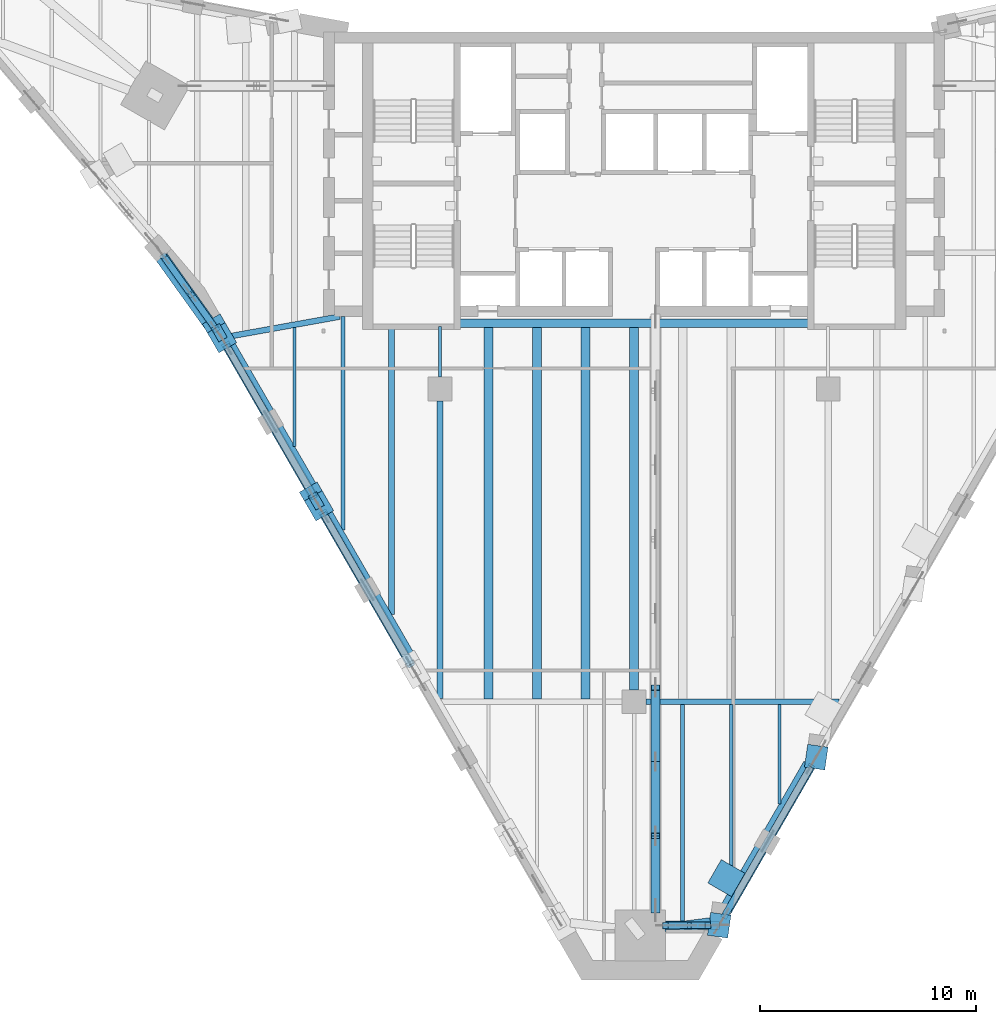
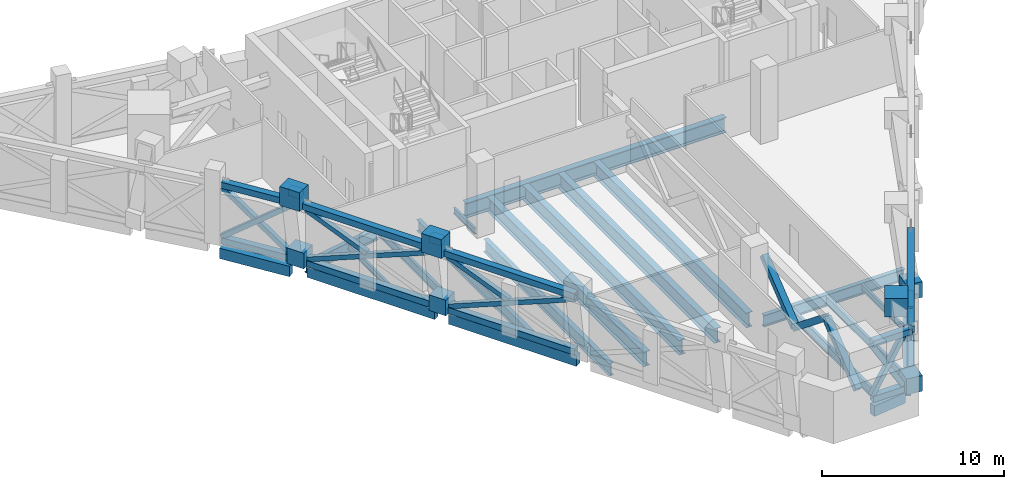
# One storey, part 2 of 23: 29 beams, 26 members.
"""IFC4 building model written with IfcOpenShell, lengths in metres."""

from ifc_helpers import new_model, si_unit, direction, frame, origin, origin_2d, place, context, subcontext, project, spatial, rectangle, hollow_rectangle, i_section, extrude, material, material_profile, profile_set, type_object, element, save


model = new_model("IFC4")

# Units and contexts
model_context = context("Model", 3, precision=1e-05, world=origin(), true_north=direction((0.0, 1.0)))
body_context = subcontext(model_context, "Body", "Model", "MODEL_VIEW")
ifc_project = project(units=[si_unit("LENGTHUNIT", "METRE"), si_unit("AREAUNIT", "SQUARE_METRE"), si_unit("VOLUMEUNIT", "CUBIC_METRE"), si_unit("PLANEANGLEUNIT", "RADIAN"), si_unit("MASSUNIT", "GRAM", prefix="KILO")], contexts=[model_context])

# Site, building, storey
site_placement = place(None, origin())
site = spatial("IfcSite", under=ifc_project, at=site_placement, CompositionType="ELEMENT")
building_placement = place(site_placement, origin())
building = spatial("IfcBuilding", under=site, at=building_placement, Name="Calabash Gate Tower", CompositionType="ELEMENT")
storey_placement = place(building_placement, frame((0.0, 0.0, 243.199951171875)))
storey = spatial("IfcBuildingStorey", under=building, at=storey_placement, Name="L58", CompositionType="ELEMENT", Elevation=243.199951171875)

# Members
ifc_material_1 = material(Name="Steel ASTM A500 Gr C", Category="steel")
ifc_material_profile_1 = material_profile(ifc_material_1, hollow_rectangle(XDim=0.406494140625, YDim=0.406494140625, WallThickness=0.015869140625, at=origin_2d()))
ifc_profile_set_1 = profile_set([ifc_material_profile_1], Name="Steel ASTM A500 Gr C")
member_type_1 = type_object("IfcMemberType", Name="Belt truss chord HSS16X16X.625 ASTM A500 Gr C", PredefinedType="CHORD", material=ifc_profile_set_1)
member_1_placement = place(storey_placement, frame((-18.882080078125, 4.48779296875, 0.203369140625), z_axis=(0.500012932018, -0.866017937352, 0.0), x_axis=(0.866017937352, 0.500012932018, 0.0)))
element("IfcMember", 1, at=member_1_placement, inside=storey, type_object=member_type_1, Name="Belt chord L58 1", PredefinedType="CHORD", context=body_context, shape_type="SweptSolid", body=[
    extrude(hollow_rectangle(XDim=0.406494140625, YDim=0.406494140625, WallThickness=0.015869140625, at=origin_2d()), origin(), (0.0, 0.0, 1.0), 8.099853515625),
])
member_2_placement = place(storey_placement, frame((-18.968994140625, 4.638916015625, 3.927001953125), z_axis=(0.499982124445, -0.866035723492, -2.9506174e-05), x_axis=(0.866035723869, 0.499982124662, 0.0)))
element("IfcMember", 2, at=member_2_placement, inside=storey, type_object=member_type_1, Name="Belt chord L58 2", PredefinedType="CHORD", context=body_context, shape_type="SweptSolid", body=[
    extrude(hollow_rectangle(XDim=0.406494140625, YDim=0.406494140625, WallThickness=0.015869140625, at=origin_2d()), origin(), (0.0, 0.0, 1.0), 8.274169921875),
])
member_3_placement = place(storey_placement, frame((-14.382080078125, -3.306396484375, 0.203369140625), z_axis=(0.499999880539, -0.866025472755, 0.0), x_axis=(0.866025472755, 0.499999880539, 0.0)))
element("IfcMember", 3, at=member_3_placement, inside=storey, type_object=member_type_1, Name="Belt chord L58 6", PredefinedType="CHORD", context=body_context, shape_type="SweptSolid", body=[
    extrude(hollow_rectangle(XDim=0.406494140625, YDim=0.406494140625, WallThickness=0.015869140625, at=origin_2d()), origin(), (0.0, 0.0, 1.0), 8.10009765625),
])
member_4_placement = place(storey_placement, frame((-14.468994140625, -3.153076171875, 3.927001953125), z_axis=(0.49985438921, -0.866109455391, -2.9498636e-05), x_axis=(0.866109455768, 0.499854389428, 0.0)))
element("IfcMember", 4, at=member_4_placement, inside=storey, type_object=member_type_1, Name="Belt chord L58 7", PredefinedType="CHORD", context=body_context, shape_type="SweptSolid", body=[
    extrude(hollow_rectangle(XDim=0.406494140625, YDim=0.406494140625, WallThickness=0.015869140625, at=origin_2d()), origin(), (0.0, 0.0, 1.0), 8.2763671875),
])
member_5_placement = place(storey_placement, frame((1.458740234375, -22.37744140625, 0.203369140625), z_axis=(0.99998623352, 0.005245749426, -0.000121994173), x_axis=(-0.005245749465, 0.999986240962, 0.0)))
element("IfcMember", 5, at=member_5_placement, inside=storey, type_object=member_type_1, Name="Belt chord L58 21", PredefinedType="CHORD", context=body_context, shape_type="SweptSolid", body=[
    extrude(hollow_rectangle(XDim=0.406494140625, YDim=0.406494140625, WallThickness=0.015869140625, at=origin_2d()), origin(), (0.0, 0.0, 1.0), 2.001220703125),
])
member_6_placement = place(storey_placement, frame((1.458740234375, -22.37744140625, 3.9267578125), z_axis=(0.999983292689, 0.005779684, 9.7960746e-05), x_axis=(-0.005779684027, 0.999983297487, 0.0)))
element("IfcMember", 6, at=member_6_placement, inside=storey, type_object=member_type_1, Name="Belt chord L58 22", PredefinedType="CHORD", context=body_context, shape_type="SweptSolid", body=[
    extrude(hollow_rectangle(XDim=0.406494140625, YDim=0.406494140625, WallThickness=0.015869140625, at=origin_2d()), origin(), (0.0, 0.0, 1.0), 2.4921875),
])
member_7_placement = place(storey_placement, frame((4.1708984375, -21.97509765625, 0.203369140625), z_axis=(0.499999880539, 0.866025472755, 0.0), x_axis=(-0.866025472755, 0.499999880539, 0.0)))
element("IfcMember", 7, at=member_7_placement, inside=storey, type_object=member_type_1, Name="Belt chord L58 26", PredefinedType="CHORD", context=body_context, shape_type="SweptSolid", body=[
    extrude(hollow_rectangle(XDim=0.406494140625, YDim=0.406494140625, WallThickness=0.015869140625, at=origin_2d()), origin(), (0.0, 0.0, 1.0), 8.10009765625),
])
member_8_placement = place(storey_placement, frame((3.947021484375, -22.366943359375, 3.927001953125), z_axis=(0.499887839955, 0.866090149733, 0.0), x_axis=(-0.866090149733, 0.499887839955, 0.0)))
element("IfcMember", 8, at=member_8_placement, inside=storey, type_object=member_type_1, Name="Belt chord L58 27", PredefinedType="CHORD", context=body_context, shape_type="SweptSolid", body=[
    extrude(hollow_rectangle(XDim=0.406494140625, YDim=0.406494140625, WallThickness=0.015869140625, at=origin_2d()), origin(), (0.0, 0.0, 1.0), 9.456298828125),
])
for number, where, z_axis, x_axis, name in (
    (9, (-21.82080078125, 8.669677734375, 0.203369140625), (0.581956391248, -0.813219994027, 0.0), (0.813219994027, 0.581956391248, 0.0), "Belt chord L58 106"),
    (10, (-21.82080078125, 8.669677734375, 3.9267578125), (0.581956391248, -0.813219994027, 0.0), (0.813219994027, 0.581956391248, 0.0), "Belt chord L58 107"),
):
    element("IfcMember", number, at=place(storey_placement, frame(where, z_axis=z_axis, x_axis=x_axis)), inside=storey, type_object=member_type_1, Name=name, PredefinedType="CHORD", context=body_context, shape_type="SweptSolid", body=[
        extrude(hollow_rectangle(XDim=0.406494140625, YDim=0.406494140625, WallThickness=0.015869140625, at=origin_2d()), origin(), (0.0, 0.0, 1.0), 4.211181640625),
    ])
ifc_material_2 = material(Name="Steel ASTM A500 Gr C", Category="steel")
ifc_material_profile_2 = material_profile(ifc_material_2, hollow_rectangle(XDim=0.3046875, YDim=0.3046875, WallThickness=0.0126953125, at=origin_2d()))
ifc_profile_set_2 = profile_set([ifc_material_profile_2], Name="Steel ASTM A500 Gr C")
member_type_2 = type_object("IfcMemberType", Name="Belt truss diagonal HSS12X12X.500 ASTM A500 Gr C", PredefinedType="BRACE", material=ifc_profile_set_2)
member_9_placement = place(storey_placement, frame((-18.882080078125, 4.48779296875, 0.406494140625), z_axis=(0.462714384728, -0.801417186208, 0.378980067834), x_axis=(0.866017937352, 0.500012932018, 0.0)))
element("IfcMember", 11, at=member_9_placement, inside=storey, type_object=member_type_2, Name="Belt diagonal L58 3", PredefinedType="BRACE", context=body_context, shape_type="SweptSolid", body=[
    extrude(hollow_rectangle(XDim=0.3046875, YDim=0.3046875, WallThickness=0.0126953125, at=origin_2d()), origin(), (0.0, 0.0, 1.0), 8.752685546875),
])
member_10_placement = place(storey_placement, frame((-18.882080078125, 4.48779296875, 3.7236328125), z_axis=(0.462725403696, -0.801419502304, -0.378961715878), x_axis=(0.866013407032, 0.50002077841, 0.0)))
element("IfcMember", 12, at=member_10_placement, inside=storey, type_object=member_type_2, Name="Belt diagonal (split) L58 4 half 1 of 2", PredefinedType="BRACE", context=body_context, shape_type="SweptSolid", body=[
    extrude(hollow_rectangle(XDim=0.3046875, YDim=0.3046875, WallThickness=0.0126953125, at=origin_2d()), origin(), (0.0, 0.0, 1.0), 4.1591796875),
])
member_11_placement = place(storey_placement, frame((-14.382080078125, -3.306396484375, 0.406494140625), z_axis=(0.462704041468, -0.801427163994, 0.378971596325), x_axis=(0.866025472755, 0.499999880539, 0.0)))
element("IfcMember", 13, at=member_11_placement, inside=storey, type_object=member_type_2, Name="Belt diagonal L58 8", PredefinedType="BRACE", context=body_context, shape_type="SweptSolid", body=[
    extrude(hollow_rectangle(XDim=0.3046875, YDim=0.3046875, WallThickness=0.0126953125, at=origin_2d()), origin(), (0.0, 0.0, 1.0), 8.7529296875),
])
member_12_placement = place(storey_placement, frame((-14.382080078125, -3.306396484375, 3.7236328125), z_axis=(0.462725403696, -0.801419502304, -0.378961715878), x_axis=(0.866013407032, 0.50002077841, 0.0)))
element("IfcMember", 14, at=member_12_placement, inside=storey, type_object=member_type_2, Name="Belt diagonal (split) L58 9 half 1 of 2", PredefinedType="BRACE", context=body_context, shape_type="SweptSolid", body=[
    extrude(hollow_rectangle(XDim=0.3046875, YDim=0.3046875, WallThickness=0.0126953125, at=origin_2d()), origin(), (0.0, 0.0, 1.0), 4.1591796875),
])
member_13_placement = place(storey_placement, frame((1.458740234375, -22.37744140625, 0.406494140625), z_axis=(0.509868356059, 0.002595877635, 0.860248522759), x_axis=(-0.00509120435, 0.999987039735, 0.0)))
element("IfcMember", 15, at=member_13_placement, inside=storey, type_object=member_type_2, Name="Belt diagonal L58 23", PredefinedType="BRACE", context=body_context, shape_type="SweptSolid", body=[
    extrude(hollow_rectangle(XDim=0.3046875, YDim=0.3046875, WallThickness=0.0126953125, at=origin_2d()), origin(), (0.0, 0.0, 1.0), 3.85595703125),
])
for number, where, z_axis, x_axis, name in (
    (16, (1.458740234375, -22.37744140625, 3.7236328125), (0.509922860496, 0.002505079555, -0.860216484915), (-0.004912604475, 0.999987933086, 0.0), "Belt diagonal (split) L58 24 half 1 of 2"),
    (17, (2.5302734375, -22.3720703125, 1.91552734375), (0.509922677782, 0.002644249694, -0.860216176683), (-0.0051855198, 0.999986555102, 0.0), "Belt diagonal (split) L58 25 half 2 of 2"),
):
    element("IfcMember", number, at=place(storey_placement, frame(where, z_axis=z_axis, x_axis=x_axis)), inside=storey, type_object=member_type_2, Name=name, PredefinedType="BRACE", context=body_context, shape_type="SweptSolid", body=[
        extrude(hollow_rectangle(XDim=0.3046875, YDim=0.3046875, WallThickness=0.0126953125, at=origin_2d()), origin(), (0.0, 0.0, 1.0), 1.754150390625),
    ])
member_14_placement = place(storey_placement, frame((4.1708984375, -21.97509765625, 0.406494140625), z_axis=(0.462704041468, 0.801427163994, 0.378971596325), x_axis=(-0.866025472755, 0.499999880539, 0.0)))
element("IfcMember", 18, at=member_14_placement, inside=storey, type_object=member_type_2, Name="Belt diagonal L58 28", PredefinedType="BRACE", context=body_context, shape_type="SweptSolid", body=[
    extrude(hollow_rectangle(XDim=0.3046875, YDim=0.3046875, WallThickness=0.0126953125, at=origin_2d()), origin(), (0.0, 0.0, 1.0), 8.7529296875),
])
for number, where, z_axis, x_axis, name in (
    (19, (4.1708984375, -21.97509765625, 3.7236328125), (0.462725403696, 0.801419502304, -0.378961715878), (-0.866013407032, 0.50002077841, 0.0), "Belt diagonal (split) L58 29 half 1 of 2"),
    (20, (6.296630859375, -18.29345703125, 1.982666015625), (0.462679271023, 0.801441269637, -0.378972008846), (-0.866040873467, 0.499973204766, 0.0), "Belt diagonal (split) L58 30 half 2 of 2"),
):
    element("IfcMember", number, at=place(storey_placement, frame(where, z_axis=z_axis, x_axis=x_axis)), inside=storey, type_object=member_type_2, Name=name, PredefinedType="BRACE", context=body_context, shape_type="SweptSolid", body=[
        extrude(hollow_rectangle(XDim=0.3046875, YDim=0.3046875, WallThickness=0.0126953125, at=origin_2d()), origin(), (0.0, 0.0, 1.0), 4.1591796875),
    ])
member_15_placement = place(storey_placement, frame((-21.82080078125, 8.669677734375, 0.406494140625), z_axis=(0.45715921848, -0.638829682966, 0.618790825013), x_axis=(0.813219994027, 0.581956391248, 0.0)))
element("IfcMember", 21, at=member_15_placement, inside=storey, type_object=member_type_2, Name="Belt diagonal L58 108", PredefinedType="BRACE", context=body_context, shape_type="SweptSolid", body=[
    extrude(hollow_rectangle(XDim=0.3046875, YDim=0.3046875, WallThickness=0.0126953125, at=origin_2d()), origin(), (0.0, 0.0, 1.0), 5.360595703125),
])
for number, where, z_axis, x_axis, name in (
    (22, (-21.82080078125, 8.669677734375, 3.7236328125), (0.457214149489, -0.638803433999, -0.618777338158), (0.813175582437, 0.582018446554, 0.0), "Belt diagonal (split) L58 109 half 1 of 2"),
    (23, (-20.523681640625, 6.857421875, 1.968017578125), (0.457109370474, -0.6388889487, -0.618766462127), (0.813275570899, 0.581878720851, 0.0), "Belt diagonal (split) L58 110 half 2 of 2"),
):
    element("IfcMember", number, at=place(storey_placement, frame(where, z_axis=z_axis, x_axis=x_axis)), inside=storey, type_object=member_type_2, Name=name, PredefinedType="BRACE", context=body_context, shape_type="SweptSolid", body=[
        extrude(hollow_rectangle(XDim=0.3046875, YDim=0.3046875, WallThickness=0.0126953125, at=origin_2d()), origin(), (0.0, 0.0, 1.0), 2.523681640625),
    ])

# Beams
ifc_material_3 = material(Name="Concrete C80/95", Category="concrete")
ifc_material_profile_3 = material_profile(ifc_material_3, rectangle(XDim=0.449951171875, YDim=0.449951171875, at=origin_2d()))
ifc_profile_set_3 = profile_set([ifc_material_profile_3], Name="Concrete C80/95")
beam_type_1 = type_object("IfcBeamType", Name="Column offset link RC 450x450 Concrete C80/95", PredefinedType="BEAM", material=ifc_profile_set_3)
beam_1_placement = place(storey_placement, frame((-19.056884765625, 4.791015625, 4.60400390625), z_axis=(-0.499002299738, 0.866600660545, 0.0), x_axis=(-0.866600660545, -0.499002299738, 0.0)))
element("IfcBeam", 24, at=beam_1_placement, inside=storey, type_object=beam_type_1, Name="Column offset link L58 P00", PredefinedType="BEAM", context=body_context, shape_type="SweptSolid", body=[
    extrude(rectangle(XDim=0.449951171875, YDim=0.449951171875, at=origin_2d()), origin(), (0.0, 0.0, 1.0), 0.73388671875),
])
beam_2_placement = place(storey_placement, frame((-14.556884765625, -3.0029296875, 4.60400390625), z_axis=(-0.500878308871, 0.865517717729, 0.0), x_axis=(-0.865517717729, -0.500878308871, 0.0)))
element("IfcBeam", 25, at=beam_2_placement, inside=storey, type_object=beam_type_1, Name="Column offset link L58 P01", PredefinedType="BEAM", context=body_context, shape_type="SweptSolid", body=[
    extrude(rectangle(XDim=0.449951171875, YDim=0.449951171875, at=origin_2d()), origin(), (0.0, 0.0, 1.0), 0.731201171875),
])
ifc_material_4 = material(Name="Concrete C50/60", Category="concrete")
ifc_material_profile_4 = material_profile(ifc_material_4, rectangle(XDim=0.39990234375, YDim=0.699951171875, at=origin_2d()))
ifc_profile_set_4 = profile_set([ifc_material_profile_4], Name="Concrete C50/60")
beam_type_2 = type_object("IfcBeamType", Name="Edge beam RC 400x700 Concrete C50/60", PredefinedType="BEAM", material=ifc_profile_set_4)
beam_3_placement = place(storey_placement, frame((-14.208984375, -3.2060546875, -0.52001953125), z_axis=(0.499999880539, -0.866025472755, 0.0), x_axis=(0.866025472755, 0.499999880539, 0.0)))
element("IfcBeam", 26, at=beam_3_placement, inside=storey, type_object=beam_type_2, Name="Edge beam L58 1", PredefinedType="BEAM", context=body_context, shape_type="SweptSolid", body=[
    extrude(rectangle(XDim=0.39990234375, YDim=0.699951171875, at=origin_2d()), origin(), (0.0, 0.0, 1.0), 8.10009765625),
])
beam_4_placement = place(storey_placement, frame((1.427001953125, -22.488037109375, -0.52001953125), z_axis=(0.9916437599, 0.129006408566, 0.0), x_axis=(-0.129006408566, 0.9916437599, 0.0)))
element("IfcBeam", 27, at=beam_4_placement, inside=storey, type_object=beam_type_2, Name="Edge beam L58 5", PredefinedType="BEAM", context=body_context, shape_type="SweptSolid", body=[
    extrude(rectangle(XDim=0.39990234375, YDim=0.699951171875, at=origin_2d()), origin(), (0.0, 0.0, 1.0), 2.1328125),
])
beam_5_placement = place(storey_placement, frame((3.998046875, -21.873046875, -0.52001953125), z_axis=(0.500104308266, 0.865965173003, 0.0), x_axis=(-0.865965173003, 0.500104308266, 0.0)))
element("IfcBeam", 28, at=beam_5_placement, inside=storey, type_object=beam_type_2, Name="Edge beam L58 6", PredefinedType="BEAM", context=body_context, shape_type="SweptSolid", body=[
    extrude(rectangle(XDim=0.39990234375, YDim=0.699951171875, at=origin_2d()), origin(), (0.0, 0.0, 1.0), 8.098388671875),
])
beam_6_placement = place(storey_placement, frame((-21.98095703125, 8.549072265625, -0.52001953125), z_axis=(0.58201536302, -0.813177789422, 0.0), x_axis=(0.813177789422, 0.58201536302, 0.0)))
element("IfcBeam", 29, at=beam_6_placement, inside=storey, type_object=beam_type_2, Name="Edge beam L58 24", PredefinedType="BEAM", context=body_context, shape_type="SweptSolid", body=[
    extrude(rectangle(XDim=0.39990234375, YDim=0.699951171875, at=origin_2d()), origin(), (0.0, 0.0, 1.0), 4.21826171875),
])
beam_7_placement = place(storey_placement, frame((-18.708984375, 4.587890625, -0.52001953125), z_axis=(0.499999880539, -0.866025472755, 0.0), x_axis=(0.866025472755, 0.499999880539, 0.0)))
element("IfcBeam", 30, at=beam_7_placement, inside=storey, type_object=beam_type_2, Name="Edge beam L58 25", PredefinedType="BEAM", context=body_context, shape_type="SweptSolid", body=[
    extrude(rectangle(XDim=0.39990234375, YDim=0.699951171875, at=origin_2d()), origin(), (0.0, 0.0, 1.0), 8.10009765625),
])
ifc_material_5 = material(Name="Steel ASTM A992 Gr50", Category="steel")
ifc_material_profile_5 = material_profile(ifc_material_5, i_section(OverallWidth=0.1396484375, OverallDepth=0.398681640625, WebThickness=0.00634765625, FlangeThickness=0.0087890625, FilletRadius=0.01025390625, at=origin_2d()))
ifc_profile_set_5 = profile_set([ifc_material_profile_5], Name="Steel ASTM A992 Gr50")
beam_type_3 = type_object("IfcBeamType", Name="Floor beam W16x26 ASTM A992 Gr50", PredefinedType="BEAM", material=ifc_profile_set_5)
beam_8_placement = place(storey_placement, frame((-15.75, -0.1689453125, -0.368896484375), z_axis=(0.0, 1.0, 0.0), x_axis=(-1.0, 0.0, 0.0)))
element("IfcBeam", 31, at=beam_8_placement, inside=storey, type_object=beam_type_3, Name="Floor beam L58 10", PredefinedType="BEAM", context=body_context, shape_type="SweptSolid", body=[
    extrude(i_section(OverallWidth=0.1396484375, OverallDepth=0.398681640625, WebThickness=0.00634765625, FlangeThickness=0.0087890625, FilletRadius=0.01025390625, at=origin_2d()), origin(), (0.0, 0.0, 1.0), 5.52490234375),
])
beam_9_placement = place(storey_placement, frame((-9.0, 3.050048828125, -0.368896484375), z_axis=(0.0, 1.0, 0.0), x_axis=(-1.0, 0.0, 0.0)))
element("IfcBeam", 32, at=beam_9_placement, inside=storey, type_object=beam_type_3, Name="Floor beam L58 15", PredefinedType="BEAM", context=body_context, shape_type="SweptSolid", body=[
    extrude(i_section(OverallWidth=0.1396484375, OverallDepth=0.398681640625, WebThickness=0.00634765625, FlangeThickness=0.0087890625, FilletRadius=0.01025390625, at=origin_2d()), origin(), (0.0, 0.0, 1.0), 2.35302734375),
])
beam_10_placement = place(storey_placement, frame((6.75, -16.739990234375, -0.368896484375), z_axis=(0.0, 1.0, 0.0), x_axis=(-1.0, 0.0, 0.0)))
element("IfcBeam", 33, at=beam_10_placement, inside=storey, type_object=beam_type_3, Name="Floor beam L58 28", PredefinedType="BEAM", context=body_context, shape_type="SweptSolid", body=[
    extrude(i_section(OverallWidth=0.1396484375, OverallDepth=0.398681640625, WebThickness=0.00634765625, FlangeThickness=0.0087890625, FilletRadius=0.01025390625, at=origin_2d()), origin(), (0.0, 0.0, 1.0), 4.60693359375),
])
ifc_material_6 = material(Name="Steel ASTM A992 Gr50", Category="steel")
ifc_material_profile_6 = material_profile(ifc_material_6, i_section(OverallWidth=0.166015625, OverallDepth=0.5283203125, WebThickness=0.009765625, FlangeThickness=0.013671875, FilletRadius=0.0126953125, at=origin_2d()))
ifc_profile_set_6 = profile_set([ifc_material_profile_6], Name="Steel ASTM A992 Gr50")
beam_type_4 = type_object("IfcBeamType", Name="Floor beam W21x50 ASTM A992 Gr50", PredefinedType="BEAM", material=ifc_profile_set_6)
beam_11_placement = place(storey_placement, frame((4.5, -20.636962890625, -0.433837890625), z_axis=(0.0, 1.0, 0.0), x_axis=(-1.0, 0.0, 0.0)))
element("IfcBeam", 34, at=beam_11_placement, inside=storey, type_object=beam_type_4, Name="Floor beam L58 26", PredefinedType="BEAM", context=body_context, shape_type="SweptSolid", body=[
    extrude(i_section(OverallWidth=0.166015625, OverallDepth=0.5283203125, WebThickness=0.009765625, FlangeThickness=0.013671875, FilletRadius=0.0126953125, at=origin_2d()), origin(), (0.0, 0.0, 1.0), 8.50390625),
])
ifc_material_7 = material(Name="Steel ASTM A992 Gr50", Category="steel")
ifc_material_profile_7 = material_profile(ifc_material_7, i_section(OverallWidth=0.1787109375, OverallDepth=0.60205078125, WebThickness=0.010986328125, FlangeThickness=0.014892578125, FilletRadius=0.0126953125, at=origin_2d()))
ifc_profile_set_7 = profile_set([ifc_material_profile_7], Name="Steel ASTM A992 Gr50")
beam_type_5 = type_object("IfcBeamType", Name="Floor beam W24x62 ASTM A992 Gr50", PredefinedType="BEAM", material=ifc_profile_set_7)
beam_12_placement = place(storey_placement, frame((-13.5, -4.0458984375, -0.470947265625), z_axis=(0.0, 1.0, 0.0), x_axis=(-1.0, 0.0, 0.0)))
element("IfcBeam", 35, at=beam_12_placement, inside=storey, type_object=beam_type_5, Name="Floor beam L58 12", PredefinedType="BEAM", context=body_context, shape_type="SweptSolid", body=[
    extrude(i_section(OverallWidth=0.1787109375, OverallDepth=0.60205078125, WebThickness=0.010986328125, FlangeThickness=0.014892578125, FilletRadius=0.0126953125, at=origin_2d()), origin(), (0.0, 0.0, 1.0), 9.89892578125),
])
beam_13_placement = place(storey_placement, frame((2.25, -22.201904296875, -0.470947265625), z_axis=(0.0, 1.0, 0.0), x_axis=(-1.0, 0.0, 0.0)))
element("IfcBeam", 36, at=beam_13_placement, inside=storey, type_object=beam_type_5, Name="Floor beam L58 24", PredefinedType="BEAM", context=body_context, shape_type="SweptSolid", body=[
    extrude(i_section(OverallWidth=0.1787109375, OverallDepth=0.60205078125, WebThickness=0.010986328125, FlangeThickness=0.014892578125, FilletRadius=0.0126953125, at=origin_2d()), origin(), (0.0, 0.0, 1.0), 10.06884765625),
])
ifc_material_8 = material(Name="Steel ASTM A992 Gr50", Category="steel")
ifc_material_profile_8 = material_profile(ifc_material_8, i_section(OverallWidth=0.2666015625, OverallDepth=0.7568359375, WebThickness=0.013916015625, FlangeThickness=0.019287109375, FilletRadius=0.0166015625, at=origin_2d()))
ifc_profile_set_8 = profile_set([ifc_material_profile_8], Name="Steel ASTM A992 Gr50")
beam_type_6 = type_object("IfcBeamType", Name="Floor beam W30x108 ASTM A992 Gr50", PredefinedType="BEAM", material=ifc_profile_set_8)
beam_14_placement = place(storey_placement, frame((-11.25, -7.962890625, -0.5478515625), z_axis=(0.0, 1.0, 0.0), x_axis=(-1.0, 0.0, 0.0)))
element("IfcBeam", 37, at=beam_14_placement, inside=storey, type_object=beam_type_6, Name="Floor beam L58 13", PredefinedType="BEAM", context=body_context, shape_type="SweptSolid", body=[
    extrude(i_section(OverallWidth=0.2666015625, OverallDepth=0.7568359375, WebThickness=0.013916015625, FlangeThickness=0.019287109375, FilletRadius=0.0166015625, at=origin_2d()), origin(), (0.0, 0.0, 1.0), 13.365966796875),
])
ifc_material_9 = material(Name="Steel ASTM A992 Gr50", Category="steel")
ifc_material_profile_9 = material_profile(ifc_material_9, i_section(OverallWidth=0.2919921875, OverallDepth=0.845703125, WebThickness=0.015380859375, FlangeThickness=0.0244140625, FilletRadius=0.017822265625, at=origin_2d()))
ifc_profile_set_9 = profile_set([ifc_material_profile_9], Name="Steel ASTM A992 Gr50")
beam_type_7 = type_object("IfcBeamType", Name="Floor beam W33x141 ASTM A992 Gr50", PredefinedType="BEAM", material=ifc_profile_set_9)
beam_15_placement = place(storey_placement, frame((-9.0, -11.860107421875, -0.593017578125), z_axis=(0.0, 1.0, 0.0), x_axis=(-1.0, 0.0, 0.0)))
element("IfcBeam", 38, at=beam_15_placement, inside=storey, type_object=beam_type_7, Name="Floor beam L58 14", PredefinedType="BEAM", context=body_context, shape_type="SweptSolid", body=[
    extrude(i_section(OverallWidth=0.2919921875, OverallDepth=0.845703125, WebThickness=0.015380859375, FlangeThickness=0.0244140625, FilletRadius=0.017822265625, at=origin_2d()), origin(), (0.0, 0.0, 1.0), 13.81005859375),
])
ifc_material_10 = material(Name="Steel ASTM A992 Gr50", Category="steel")
ifc_material_profile_10 = material_profile(ifc_material_10, i_section(OverallWidth=0.4013671875, OverallDepth=0.990478515625, WebThickness=0.0166015625, FlangeThickness=0.031005859375, FilletRadius=0.030029296875, at=origin_2d()))
ifc_profile_set_10 = profile_set([ifc_material_profile_10], Name="Steel ASTM A992 Gr50")
beam_type_8 = type_object("IfcBeamType", Name="Floor beam W40x215 ASTM A992 Gr50", PredefinedType="BEAM", material=ifc_profile_set_10)
for number, where, z_axis, x_axis, name in (
    (39, (-6.75, -11.866943359375, -0.662841796875), (0.0, 1.0, 0.0), (-1.0, 0.0, 0.0), "Floor beam L58 17"),
    (40, (-4.5, -11.866943359375, -0.662841796875), (0.0, 1.0, 0.0), (-1.0, 0.0, 0.0), "Floor beam L58 19"),
    (41, (-2.25, -11.866943359375, -0.662841796875), (0.0, 1.0, 0.0), (-1.0, 0.0, 0.0), "Floor beam L58 21"),
):
    element("IfcBeam", number, at=place(storey_placement, frame(where, z_axis=z_axis, x_axis=x_axis)), inside=storey, type_object=beam_type_8, Name=name, PredefinedType="BEAM", context=body_context, shape_type="SweptSolid", body=[
        extrude(i_section(OverallWidth=0.4013671875, OverallDepth=0.990478515625, WebThickness=0.0166015625, FlangeThickness=0.031005859375, FilletRadius=0.030029296875, at=origin_2d()), origin(), (0.0, 0.0, 1.0), 17.218994140625),
    ])
beam_16_placement = place(storey_placement, frame((0.0, -11.449951171875, -0.662841796875), z_axis=(0.0, 1.0, 0.0), x_axis=(-1.0, 0.0, 0.0)))
element("IfcBeam", 42, at=beam_16_placement, inside=storey, type_object=beam_type_8, Name="Floor beam L58 23", PredefinedType="BEAM", context=body_context, shape_type="SweptSolid", body=[
    extrude(i_section(OverallWidth=0.4013671875, OverallDepth=0.990478515625, WebThickness=0.0166015625, FlangeThickness=0.031005859375, FilletRadius=0.030029296875, at=origin_2d()), origin(), (0.0, 0.0, 1.0), 16.802001953125),
])
ifc_material_11 = material(Name="Steel ASTM A992 Gr50", Category="steel")
ifc_material_profile_11 = material_profile(ifc_material_11, i_section(OverallWidth=0.2666015625, OverallDepth=0.77978515625, WebThickness=0.0166015625, FlangeThickness=0.030029296875, FilletRadius=0.0166015625, at=origin_2d()))
ifc_profile_set_11 = profile_set([ifc_material_profile_11], Name="Steel ASTM A992 Gr50")
beam_type_9 = type_object("IfcBeamType", Name="Girder W30x148 ASTM A992 Gr50", PredefinedType="BEAM", material=ifc_profile_set_11)
beam_17_placement = place(storey_placement, frame((-18.657958984375, 4.9580078125, -0.56005859375), z_axis=(0.984297088415, 0.176519805509, 0.0), x_axis=(-0.176519805509, 0.984297088415, 0.0)))
element("IfcBeam", 43, at=beam_17_placement, inside=storey, type_object=beam_type_9, Name="Girder L58 2", PredefinedType="BEAM", context=body_context, shape_type="SweptSolid", body=[
    extrude(i_section(OverallWidth=0.2666015625, OverallDepth=0.77978515625, WebThickness=0.0166015625, FlangeThickness=0.030029296875, FilletRadius=0.0166015625, at=origin_2d()), origin(), (0.0, 0.0, 1.0), 5.0869140625),
])
beam_18_placement = place(storey_placement, frame((0.550048828125, -12.0, -0.56005859375), z_axis=(1.0, 0.0, 0.0), x_axis=(0.0, 1.0, 0.0)))
element("IfcBeam", 44, at=beam_18_placement, inside=storey, type_object=beam_type_9, Name="Girder L58 5", PredefinedType="BEAM", context=body_context, shape_type="SweptSolid", body=[
    extrude(i_section(OverallWidth=0.2666015625, OverallDepth=0.77978515625, WebThickness=0.0166015625, FlangeThickness=0.030029296875, FilletRadius=0.0166015625, at=origin_2d()), origin(), (0.0, 0.0, 1.0), 8.949951171875),
])
ifc_material_12 = material(Name="Steel ASTM A992 Gr50", Category="steel")
ifc_material_profile_12 = material_profile(ifc_material_12, i_section(OverallWidth=0.4013671875, OverallDepth=1.000732421875, WebThickness=0.01904296875, FlangeThickness=0.0361328125, FilletRadius=0.030029296875, at=origin_2d()))
ifc_profile_set_12 = profile_set([ifc_material_profile_12], Name="Steel ASTM A992 Gr50")
beam_type_10 = type_object("IfcBeamType", Name="Girder W40x249 ASTM A992 Gr50", PredefinedType="BEAM", material=ifc_profile_set_12)
beam_19_placement = place(storey_placement, frame((-8.25, 5.552978515625, -0.669921875), z_axis=(1.0, 0.0, 0.0), x_axis=(0.0, 1.0, 0.0)))
element("IfcBeam", 45, at=beam_19_placement, inside=storey, type_object=beam_type_10, Name="Girder L58 1", PredefinedType="BEAM", context=body_context, shape_type="SweptSolid", body=[
    extrude(i_section(OverallWidth=0.4013671875, OverallDepth=1.000732421875, WebThickness=0.01904296875, FlangeThickness=0.0361328125, FilletRadius=0.030029296875, at=origin_2d()), origin(), (0.0, 0.0, 1.0), 16.5),
])

# Members
ifc_material_13 = material(Name="Steel ASTM A500 Gr C", Category="steel")
ifc_material_profile_13 = material_profile(ifc_material_13, hollow_rectangle(XDim=0.406494140625, YDim=0.406494140625, WallThickness=0.015869140625, at=origin_2d()))
ifc_profile_set_13 = profile_set([ifc_material_profile_13], Name="Steel ASTM A500 Gr C")
member_type_3 = type_object("IfcMemberType", Name="Outrigger diagonal HSS16X16X.625 ASTM A500 Gr C", PredefinedType="BRACE", material=ifc_profile_set_13)
member_16_placement = place(storey_placement, frame((1.0, -21.661865234375, 0.508056640625), z_axis=(0.0, 0.779501215644, 0.626400714247), x_axis=(-1.0, 0.0, 0.0)))
element("IfcMember", 46, at=member_16_placement, inside=storey, type_object=member_type_3, Name="Outrigger diagonal L58 S", PredefinedType="BRACE", context=body_context, shape_type="SweptSolid", body=[
    extrude(hollow_rectangle(XDim=0.406494140625, YDim=0.406494140625, WallThickness=0.015869140625, at=origin_2d()), origin(), (0.0, 0.0, 1.0), 4.412353515625),
])
for number, where, z_axis, x_axis, name in (
    (47, (1.0, -18.222412109375, 3.27197265625), (0.0, 0.779479503634, -0.626427731997), (-1.0, 0.0, 0.0), "Outrigger diagonal L58 S"),
    (48, (1.0, -14.783203125, 0.508056640625), (0.0, 0.779479503634, 0.626427731997), (-1.0, 0.0, 0.0), "Outrigger diagonal L58 S"),
):
    element("IfcMember", number, at=place(storey_placement, frame(where, z_axis=z_axis, x_axis=x_axis)), inside=storey, type_object=member_type_3, Name=name, PredefinedType="BRACE", context=body_context, shape_type="SweptSolid", body=[
        extrude(hollow_rectangle(XDim=0.406494140625, YDim=0.406494140625, WallThickness=0.015869140625, at=origin_2d()), origin(), (0.0, 0.0, 1.0), 4.412109375),
    ])

# Beams
ifc_material_14 = material(Name="Concrete C50/60", Category="concrete")
ifc_material_profile_14 = material_profile(ifc_material_14, rectangle(XDim=1.25, YDim=1.25, at=origin_2d()))
ifc_profile_set_14 = profile_set([ifc_material_profile_14], Name="Concrete C50/60")
beam_type_11 = type_object("IfcBeamType", Name="Transfer node RC 1250x1250 Concrete C50/60", PredefinedType="BEAM", material=ifc_profile_set_14)
beam_20_placement = place(storey_placement, frame((4.83203125, -20.4970703125, 4.376953125), z_axis=(-0.866070368743, 0.499922110319, 0.0), x_axis=(-0.499922110319, -0.866070368743, 0.0)))
element("IfcBeam", 49, at=beam_20_placement, inside=storey, type_object=beam_type_11, Name="Transfer node L58 head P08", PredefinedType="BEAM", context=body_context, shape_type="SweptSolid", body=[
    extrude(rectangle(XDim=1.25, YDim=1.25, at=origin_2d()), origin(), (0.0, 0.0, 1.0), 1.270263671875),
])
ifc_material_15 = material(Name="Concrete C50/60", Category="concrete")
ifc_material_profile_15 = material_profile(ifc_material_15, rectangle(XDim=0.949951171875, YDim=1.050048828125, at=origin_2d()))
ifc_profile_set_15 = profile_set([ifc_material_profile_15], Name="Concrete C50/60")
beam_type_12 = type_object("IfcBeamType", Name="Transfer node RC 950x1050 Concrete C50/60", PredefinedType="BEAM", material=ifc_profile_set_15)
for number, where, z_axis, x_axis, name in (
    (50, (-19.3740234375, 5.341064453125, 0.527099609375), (0.499794860427, -0.866143808782, 0.0), (0.866143808782, 0.499794860427, 0.0), "Transfer node L58 foot P00"),
    (51, (-14.8740234375, -2.452880859375, 0.527099609375), (0.499794860427, -0.866143808782, 0.0), (0.866143808782, 0.499794860427, 0.0), "Transfer node L58 foot P01"),
):
    element("IfcBeam", number, at=place(storey_placement, frame(where, z_axis=z_axis, x_axis=x_axis)), inside=storey, type_object=beam_type_12, Name=name, PredefinedType="BEAM", context=body_context, shape_type="SweptSolid", body=[
        extrude(rectangle(XDim=0.949951171875, YDim=1.050048828125, at=origin_2d()), origin(), (0.0, 0.0, 1.0), 1.0703125),
    ])
beam_21_placement = place(storey_placement, frame((3.87109375, -22.89306640625, 0.527099609375), z_axis=(0.14001648818, 0.990149172114, 0.0), x_axis=(-0.990149172114, 0.14001648818, 0.0)))
element("IfcBeam", 52, at=beam_21_placement, inside=storey, type_object=beam_type_12, Name="Transfer node L58 foot P08", PredefinedType="BEAM", context=body_context, shape_type="SweptSolid", body=[
    extrude(rectangle(XDim=0.949951171875, YDim=1.050048828125, at=origin_2d()), origin(), (0.0, 0.0, 1.0), 1.070556640625),
])
beam_22_placement = place(storey_placement, frame((8.37109375, -15.10009765625, 0.527099609375), z_axis=(0.140143060605, 0.99013126532, 0.0), x_axis=(-0.99013126532, 0.140143060605, 0.0)))
element("IfcBeam", 53, at=beam_22_placement, inside=storey, type_object=beam_type_12, Name="Transfer node L58 foot P09", PredefinedType="BEAM", context=body_context, shape_type="SweptSolid", body=[
    extrude(rectangle(XDim=0.949951171875, YDim=1.050048828125, at=origin_2d()), origin(), (0.0, 0.0, 1.0), 1.069580078125),
])
ifc_material_16 = material(Name="Concrete C50/60", Category="concrete")
ifc_material_profile_16 = material_profile(ifc_material_16, rectangle(XDim=0.949951171875, YDim=1.25, at=origin_2d()))
ifc_profile_set_16 = profile_set([ifc_material_profile_16], Name="Concrete C50/60")
beam_type_13 = type_object("IfcBeamType", Name="Transfer node RC 950x1250 Concrete C50/60", PredefinedType="BEAM", material=ifc_profile_set_16)
beam_23_placement = place(storey_placement, frame((-19.60791015625, 5.7470703125, 4.376953125), z_axis=(0.499922110319, -0.866070368743, 0.0), x_axis=(0.866070368743, 0.499922110319, 0.0)))
element("IfcBeam", 54, at=beam_23_placement, inside=storey, type_object=beam_type_13, Name="Transfer node L58 head P00", PredefinedType="BEAM", context=body_context, shape_type="SweptSolid", body=[
    extrude(rectangle(XDim=0.949951171875, YDim=1.25, at=origin_2d()), origin(), (0.0, 0.0, 1.0), 1.270263671875),
])
beam_24_placement = place(storey_placement, frame((-15.10791015625, -2.049072265625, 4.376953125), z_axis=(0.500005339912, -0.866022320763, 0.0), x_axis=(0.866022320763, 0.500005339912, 0.0)))
element("IfcBeam", 55, at=beam_24_placement, inside=storey, type_object=beam_type_13, Name="Transfer node L58 head P01", PredefinedType="BEAM", context=body_context, shape_type="SweptSolid", body=[
    extrude(rectangle(XDim=0.949951171875, YDim=1.25, at=origin_2d()), origin(), (0.0, 0.0, 1.0), 1.27001953125),
])

save(model, "model.ifc")
